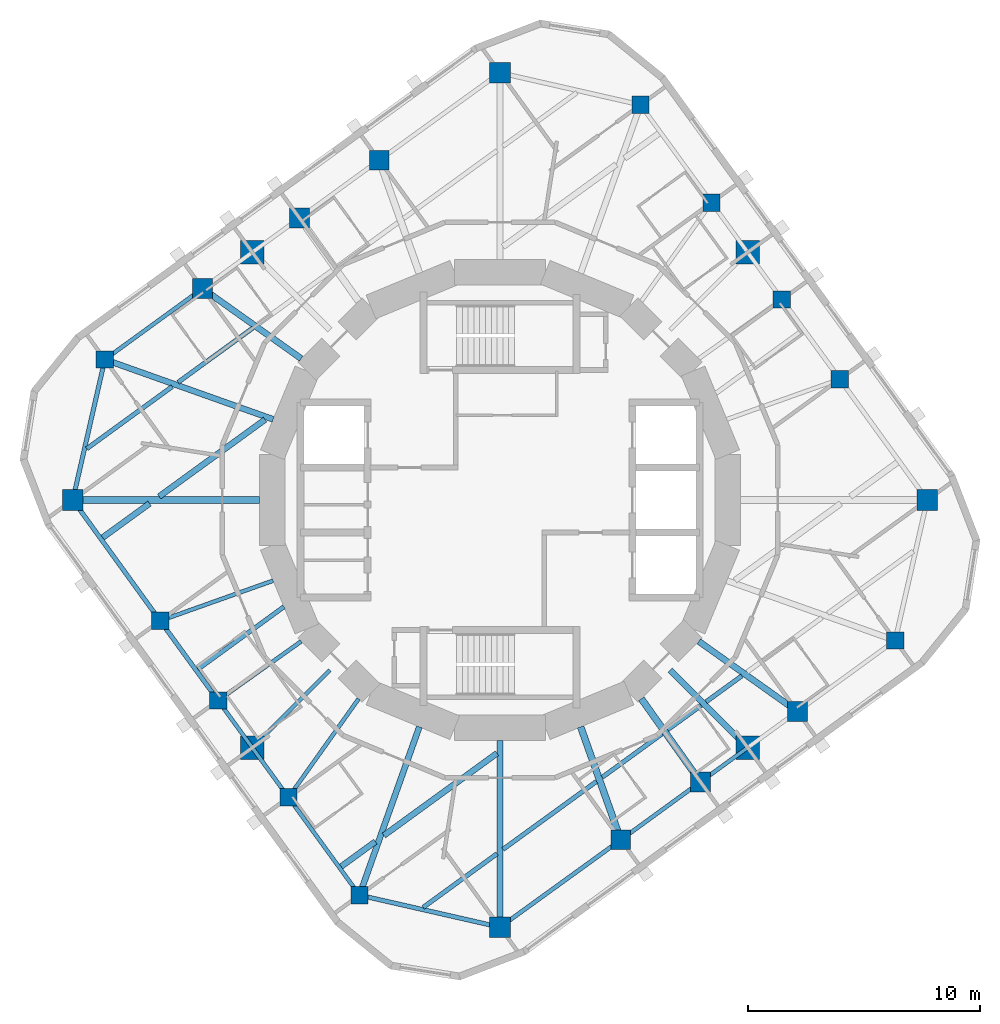
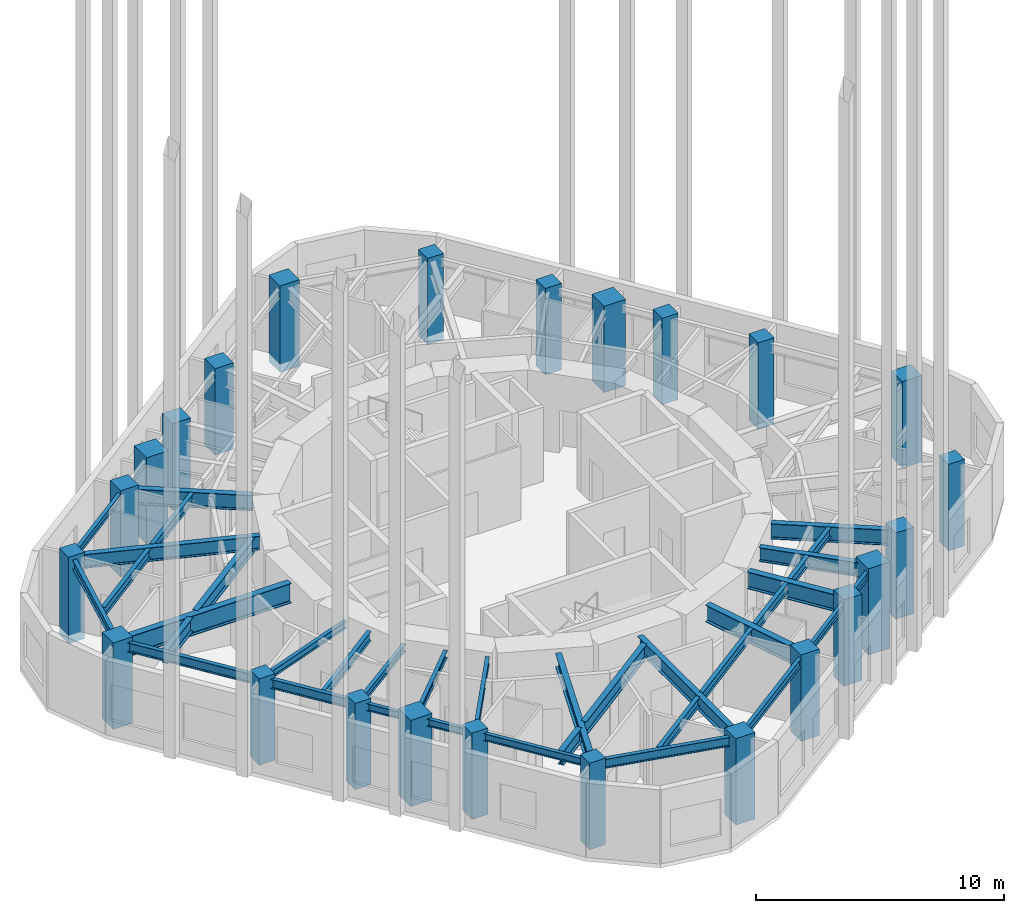
# One storey, part 1 of 9: 36 beams, 24 columns.
"""IFC4 building model written with IfcOpenShell, lengths in metres."""

from ifc_helpers import new_model, si_unit, direction, frame, origin, origin_2d, place, context, subcontext, project, spatial, rectangle, i_section, extrude, material, material_profile, profile_set, type_object, element, save


model = new_model("IFC4")

# Units and contexts
model_context = context("Model", 3, precision=1e-05, world=origin(), true_north=direction((0.0, 1.0)))
body_context = subcontext(model_context, "Body", "Model", "MODEL_VIEW")
ifc_project = project(units=[si_unit("LENGTHUNIT", "METRE"), si_unit("AREAUNIT", "SQUARE_METRE"), si_unit("VOLUMEUNIT", "CUBIC_METRE"), si_unit("PLANEANGLEUNIT", "RADIAN"), si_unit("MASSUNIT", "GRAM", prefix="KILO")], contexts=[model_context])

# Site, building, storey
site_placement = place(None, origin())
site = spatial("IfcSite", under=ifc_project, at=site_placement, CompositionType="ELEMENT")
building_placement = place(site_placement, origin())
building = spatial("IfcBuilding", under=site, at=building_placement, Name="Nakasero Lantern House", CompositionType="ELEMENT")
storey_placement = place(building_placement, frame((0.0, 0.0, 263.75)))
storey = spatial("IfcBuildingStorey", under=building, at=storey_placement, Name="L64", CompositionType="ELEMENT", Elevation=263.75)

# Columns
ifc_material_1 = material(Name="Concrete C40/50", Category="concrete")
ifc_material_profile_1 = material_profile(ifc_material_1, rectangle(XDim=1.0, YDim=1.0, at=origin_2d()), Name="RC 1000x1000")
ifc_profile_set_1 = profile_set([ifc_material_profile_1], Name="Concrete C40/50")
column_type_1 = type_object("IfcColumnType", Name="Mega column RC 1000x1000 C40/50", PredefinedType="COLUMN", material=ifc_profile_set_1)
for number, where, z_axis, x_axis, name in (
    (1, (10.667236328125, 10.667236328125, -0.409423828125), (0.0, 0.0, 1.0), (1.0, 0.0, 0.0), "Column B7-C06 L64"),
    (2, (-10.667236328125, 10.667236328125, -0.409423828125), (0.0, 0.0, 1.0), (1.0, 0.0, 0.0), "Column B7-C12 L64"),
    (3, (-10.667236328125, -10.667236328125, -0.409423828125), (0.0, 0.0, 1.0), (1.0, 0.0, 0.0), "Column B7-C18 L64"),
    (4, (10.667236328125, -10.667236328125, -0.409423828125), (0.0, 0.0, 1.0), (1.0, 0.0, 0.0), "Column B7-C24 L64"),
):
    element("IfcColumn", number, at=place(storey_placement, frame(where, z_axis=z_axis, x_axis=x_axis)), inside=storey, type_object=column_type_1, Name=name, PredefinedType="COLUMN", context=body_context, shape_type="SweptSolid", body=[
        extrude(rectangle(XDim=1.0, YDim=1.0, at=origin_2d()), origin(), (0.0, 0.0, 1.0), 4.259521484375),
    ])
ifc_material_2 = material(Name="Concrete C40/50", Category="concrete")
ifc_material_profile_2 = material_profile(ifc_material_2, rectangle(XDim=0.75, YDim=0.75, at=origin_2d()), Name="RC 750x750")
ifc_profile_set_2 = profile_set([ifc_material_profile_2], Name="Concrete C40/50")
column_type_2 = type_object("IfcColumnType", Name="Ring column RC 750x750 C40/50", PredefinedType="COLUMN", material=ifc_profile_set_2)
for number, where, z_axis, x_axis, name in (
    (5, (17.02001953125, -6.051513671875, -0.409423828125), (0.0, 0.0, 1.0), (1.0, 0.0, 0.0), "Column B7-C02 L64"),
    (6, (14.636474609375, 5.2041015625, -0.409423828125), (0.0, 0.0, 1.0), (1.0, 0.0, 0.0), "Column B7-C04 L64"),
    (7, (12.1435546875, 8.63525390625, -0.409423828125), (0.0, 0.0, 1.0), (1.0, 0.0, 0.0), "Column B7-C05 L64"),
    (8, (9.10986328125, 12.810791015625, -0.409423828125), (0.0, 0.0, 1.0), (1.0, 0.0, 0.0), "Column B7-C07 L64"),
    (9, (6.051513671875, 17.02001953125, -0.409423828125), (0.0, 0.0, 1.0), (1.0, 0.0, 0.0), "Column B7-C08 L64"),
    (10, (-17.02001953125, 6.051513671875, -0.409423828125), (0.0, 0.0, 1.0), (1.0, 0.0, 0.0), "Column B7-C14 L64"),
    (11, (-14.636474609375, -5.2041015625, -0.409423828125), (0.0, 0.0, 1.0), (1.0, 0.0, 0.0), "Column B7-C16 L64"),
    (12, (-12.1435546875, -8.63525390625, -0.409423828125), (0.0, 0.0, 1.0), (1.0, 0.0, 0.0), "Column B7-C17 L64"),
    (13, (-9.10986328125, -12.810791015625, -0.409423828125), (0.0, 0.0, 1.0), (1.0, 0.0, 0.0), "Column B7-C19 L64"),
    (14, (-6.051513671875, -17.02001953125, -0.409423828125), (0.0, 0.0, 1.0), (1.0, 0.0, 0.0), "Column B7-C20 L64"),
):
    element("IfcColumn", number, at=place(storey_placement, frame(where, z_axis=z_axis, x_axis=x_axis)), inside=storey, type_object=column_type_2, Name=name, PredefinedType="COLUMN", context=body_context, shape_type="SweptSolid", body=[
        extrude(rectangle(XDim=0.75, YDim=0.75, at=origin_2d()), origin(), (0.0, 0.0, 1.0), 4.259521484375),
    ])
ifc_material_3 = material(Name="Concrete C40/50", Category="concrete")
ifc_material_profile_3 = material_profile(ifc_material_3, rectangle(XDim=0.85009765625, YDim=0.85009765625, at=origin_2d()), Name="RC 850x850")
ifc_profile_set_3 = profile_set([ifc_material_profile_3], Name="Concrete C40/50")
column_type_3 = type_object("IfcColumnType", Name="Ring column RC 850x850 C40/50", PredefinedType="COLUMN", material=ifc_profile_set_3)
for number, where, z_axis, x_axis, name in (
    (15, (12.810791015625, -9.10986328125, -0.409423828125), (0.0, 0.0, 1.0), (1.0, 0.0, 0.0), "Column B7-C01 L64"),
    (16, (-5.2041015625, 14.636474609375, -0.409423828125), (0.0, 0.0, 1.0), (1.0, 0.0, 0.0), "Column B7-C10 L64"),
    (17, (-8.63525390625, 12.1435546875, -0.409423828125), (0.0, 0.0, 1.0), (1.0, 0.0, 0.0), "Column B7-C11 L64"),
    (18, (-12.810791015625, 9.10986328125, -0.409423828125), (0.0, 0.0, 1.0), (1.0, 0.0, 0.0), "Column B7-C13 L64"),
    (19, (5.2041015625, -14.636474609375, -0.409423828125), (0.0, 0.0, 1.0), (1.0, 0.0, 0.0), "Column B7-C22 L64"),
    (20, (8.63525390625, -12.1435546875, -0.409423828125), (0.0, 0.0, 1.0), (1.0, 0.0, 0.0), "Column B7-C23 L64"),
):
    element("IfcColumn", number, at=place(storey_placement, frame(where, z_axis=z_axis, x_axis=x_axis)), inside=storey, type_object=column_type_3, Name=name, PredefinedType="COLUMN", context=body_context, shape_type="SweptSolid", body=[
        extrude(rectangle(XDim=0.85009765625, YDim=0.85009765625, at=origin_2d()), origin(), (0.0, 0.0, 1.0), 4.259521484375),
    ])
ifc_material_4 = material(Name="Concrete C40/50", Category="concrete")
ifc_material_profile_4 = material_profile(ifc_material_4, rectangle(XDim=0.89990234375, YDim=0.89990234375, at=origin_2d()), Name="RC 900x900")
ifc_profile_set_4 = profile_set([ifc_material_profile_4], Name="Concrete C40/50")
column_type_4 = type_object("IfcColumnType", Name="Ring column RC 900x900 C40/50", PredefinedType="COLUMN", material=ifc_profile_set_4)
for number, where, z_axis, x_axis, name in (
    (21, (18.39990234375, 0.0, -0.409423828125), (0.0, 0.0, 1.0), (1.0, 0.0, 0.0), "Column B7-C03 L64"),
    (22, (0.0, 18.39990234375, -0.409423828125), (0.0, 0.0, 1.0), (1.0, 0.0, 0.0), "Column B7-C09 L64"),
    (23, (-18.39990234375, 0.0, -0.409423828125), (0.0, 0.0, 1.0), (1.0, 0.0, 0.0), "Column B7-C15 L64"),
    (24, (0.0, -18.39990234375, -0.409423828125), (0.0, 0.0, 1.0), (1.0, 0.0, 0.0), "Column B7-C21 L64"),
):
    element("IfcColumn", number, at=place(storey_placement, frame(where, z_axis=z_axis, x_axis=x_axis)), inside=storey, type_object=column_type_4, Name=name, PredefinedType="COLUMN", context=body_context, shape_type="SweptSolid", body=[
        extrude(rectangle(XDim=0.89990234375, YDim=0.89990234375, at=origin_2d()), origin(), (0.0, 0.0, 1.0), 4.259521484375),
    ])

# Beams
ifc_material_5 = material(Name="Steel S355", Category="steel")
ifc_material_profile_5 = material_profile(ifc_material_5, i_section(OverallWidth=0.19140625, OverallDepth=0.4599609375, WebThickness=0.010009765625, FlangeThickness=0.01611328125, FilletRadius=0.01025390625, at=origin_2d()), Name="UB 457x191x82")
ifc_profile_set_5 = profile_set([ifc_material_profile_5], Name="Steel S355")
beam_type_1 = type_object("IfcBeamType", Name="Infill beam UB 457x191x82", PredefinedType="JOIST", material=ifc_profile_set_5)
beam_1_placement = place(storey_placement, frame((-3.311279296875, -17.547607421875, 3.419921875), z_axis=(0.809028442836, 0.587769494515, 0.0), x_axis=(-0.587769494515, 0.809028442836, 0.0)))
element("IfcBeam", 25, at=beam_1_placement, inside=storey, type_object=beam_type_1, Name="Infill beam L65 03.1", PredefinedType="JOIST", context=body_context, shape_type="SweptSolid", body=[
    extrude(i_section(OverallWidth=0.19140625, OverallDepth=0.4599609375, WebThickness=0.010009765625, FlangeThickness=0.01611328125, FilletRadius=0.01025390625, at=origin_2d()), origin(), (0.0, 0.0, 1.0), 3.934814453125),
])
beam_2_placement = place(storey_placement, frame((0.1279296875, -15.048828125, 3.419921875), z_axis=(0.809018056479, 0.587783790428, 0.0), x_axis=(-0.587783790428, 0.809018056479, 0.0)))
element("IfcBeam", 26, at=beam_2_placement, inside=storey, type_object=beam_type_1, Name="Infill beam L65 03.2", PredefinedType="JOIST", context=body_context, shape_type="SweptSolid", body=[
    extrude(i_section(OverallWidth=0.19140625, OverallDepth=0.4599609375, WebThickness=0.010009765625, FlangeThickness=0.01611328125, FilletRadius=0.01025390625, at=origin_2d()), origin(), (0.0, 0.0, 1.0), 4.97802734375),
])
beam_3_placement = place(storey_placement, frame((4.40185546875, -11.943603515625, 3.419921875), z_axis=(0.809014147131, 0.587789171167, 0.0), x_axis=(-0.587789171167, 0.809014147131, 0.0)))
element("IfcBeam", 27, at=beam_3_placement, inside=storey, type_object=beam_type_1, Name="Infill beam L65 03.3", PredefinedType="JOIST", context=body_context, shape_type="SweptSolid", body=[
    extrude(i_section(OverallWidth=0.19140625, OverallDepth=0.4599609375, WebThickness=0.010009765625, FlangeThickness=0.01611328125, FilletRadius=0.01025390625, at=origin_2d()), origin(), (0.0, 0.0, 1.0), 3.188232421875),
])
beam_4_placement = place(storey_placement, frame((7.2177734375, -9.897705078125, 3.419921875), z_axis=(0.809060510352, 0.587725353025, 0.0), x_axis=(-0.587725353025, 0.809060510352, 0.0)))
element("IfcBeam", 28, at=beam_4_placement, inside=storey, type_object=beam_type_1, Name="Infill beam L65 03.4", PredefinedType="JOIST", context=body_context, shape_type="SweptSolid", body=[
    extrude(i_section(OverallWidth=0.19140625, OverallDepth=0.4599609375, WebThickness=0.010009765625, FlangeThickness=0.01611328125, FilletRadius=0.01025390625, at=origin_2d()), origin(), (0.0, 0.0, 1.0), 1.7890625),
])
beam_5_placement = place(storey_placement, frame((8.874755859375, -8.69384765625, 3.419921875), z_axis=(0.809012638294, 0.587791247877, 0.0), x_axis=(-0.587791247877, 0.809012638294, 0.0)))
element("IfcBeam", 29, at=beam_5_placement, inside=storey, type_object=beam_type_1, Name="Infill beam L65 03.5", PredefinedType="JOIST", context=body_context, shape_type="SweptSolid", body=[
    extrude(i_section(OverallWidth=0.19140625, OverallDepth=0.4599609375, WebThickness=0.010009765625, FlangeThickness=0.01611328125, FilletRadius=0.01025390625, at=origin_2d()), origin(), (0.0, 0.0, 1.0), 1.908203125),
])
beam_6_placement = place(storey_placement, frame((-13.006103515625, -7.286376953125, 3.419921875), z_axis=(0.809017640959, 0.587784362344, 0.0), x_axis=(-0.587784362344, 0.809017640959, 0.0)))
element("IfcBeam", 30, at=beam_6_placement, inside=storey, type_object=beam_type_1, Name="Infill beam L65 07.1", PredefinedType="JOIST", context=body_context, shape_type="SweptSolid", body=[
    extrude(i_section(OverallWidth=0.19140625, OverallDepth=0.4599609375, WebThickness=0.010009765625, FlangeThickness=0.01611328125, FilletRadius=0.01025390625, at=origin_2d()), origin(), (0.0, 0.0, 1.0), 4.572998046875),
])
beam_7_placement = place(storey_placement, frame((-17.798583984375, 2.21044921875, 3.419921875), z_axis=(0.80901210161, 0.587791986546, 0.0), x_axis=(-0.587791986546, 0.80901210161, 0.0)))
element("IfcBeam", 31, at=beam_7_placement, inside=storey, type_object=beam_type_1, Name="Infill beam L65 10.1", PredefinedType="JOIST", context=body_context, shape_type="SweptSolid", body=[
    extrude(i_section(OverallWidth=0.19140625, OverallDepth=0.4599609375, WebThickness=0.010009765625, FlangeThickness=0.01611328125, FilletRadius=0.01025390625, at=origin_2d()), origin(), (0.0, 0.0, 1.0), 4.55029296875),
])
beam_8_placement = place(storey_placement, frame((-13.86865234375, 5.065673828125, 3.419921875), z_axis=(0.809006350712, 0.587799901759, 0.0), x_axis=(-0.587799901759, 0.809006350712, 0.0)))
element("IfcBeam", 32, at=beam_8_placement, inside=storey, type_object=beam_type_1, Name="Infill beam L65 10.2", PredefinedType="JOIST", context=body_context, shape_type="SweptSolid", body=[
    extrude(i_section(OverallWidth=0.19140625, OverallDepth=0.4599609375, WebThickness=0.010009765625, FlangeThickness=0.01611328125, FilletRadius=0.01025390625, at=origin_2d()), origin(), (0.0, 0.0, 1.0), 3.983154296875),
])
ifc_material_6 = material(Name="Steel S355", Category="steel")
ifc_material_profile_6 = material_profile(ifc_material_6, i_section(OverallWidth=0.255859375, OverallDepth=0.69287109375, WebThickness=0.014404296875, FlangeThickness=0.023681640625, FilletRadius=0.01513671875, at=origin_2d()), Name="UB 686x254x170")
ifc_profile_set_6 = profile_set([ifc_material_profile_6], Name="Steel S355")
beam_type_2 = type_object("IfcBeamType", Name="Infill beam UB 686x254x170", PredefinedType="JOIST", material=ifc_profile_set_6)
beam_9_placement = place(storey_placement, frame((-6.841796875, -15.786376953125, 3.303466796875), z_axis=(0.809025740158, 0.587773214566, 0.0), x_axis=(-0.587773214566, 0.809025740158, 0.0)))
element("IfcBeam", 33, at=beam_9_placement, inside=storey, type_object=beam_type_2, Name="Infill beam L65 04.1", PredefinedType="JOIST", context=body_context, shape_type="SweptSolid", body=[
    extrude(i_section(OverallWidth=0.255859375, OverallDepth=0.69287109375, WebThickness=0.014404296875, FlangeThickness=0.023681640625, FilletRadius=0.01513671875, at=origin_2d()), origin(), (0.0, 0.0, 1.0), 1.82177734375),
])
beam_10_placement = place(storey_placement, frame((-5.001953125, -14.44970703125, 3.303466796875), z_axis=(0.809011117524, 0.587793340998, 0.0), x_axis=(-0.587793340998, 0.809011117524, 0.0)))
element("IfcBeam", 34, at=beam_10_placement, inside=storey, type_object=beam_type_2, Name="Infill beam L65 04.2", PredefinedType="JOIST", context=body_context, shape_type="SweptSolid", body=[
    extrude(i_section(OverallWidth=0.255859375, OverallDepth=0.69287109375, WebThickness=0.014404296875, FlangeThickness=0.023681640625, FilletRadius=0.01513671875, at=origin_2d()), origin(), (0.0, 0.0, 1.0), 6.024658203125),
])
beam_11_placement = place(storey_placement, frame((-17.1123046875, -1.6171875, 3.303466796875), z_axis=(0.809015124384, 0.587787826106, 0.0), x_axis=(-0.587787826106, 0.809015124384, 0.0)))
element("IfcBeam", 35, at=beam_11_placement, inside=storey, type_object=beam_type_2, Name="Infill beam L65 09.1", PredefinedType="JOIST", context=body_context, shape_type="SweptSolid", body=[
    extrude(i_section(OverallWidth=0.255859375, OverallDepth=0.69287109375, WebThickness=0.014404296875, FlangeThickness=0.023681640625, FilletRadius=0.01513671875, at=origin_2d()), origin(), (0.0, 0.0, 1.0), 2.496337890625),
])
beam_12_placement = place(storey_placement, frame((-14.679931640625, 0.14990234375, 3.303466796875), z_axis=(0.809013172462, 0.587790512669, 0.0), x_axis=(-0.587790512669, 0.809013172462, 0.0)))
element("IfcBeam", 36, at=beam_12_placement, inside=storey, type_object=beam_type_2, Name="Infill beam L65 09.2", PredefinedType="JOIST", context=body_context, shape_type="SweptSolid", body=[
    extrude(i_section(OverallWidth=0.255859375, OverallDepth=0.69287109375, WebThickness=0.014404296875, FlangeThickness=0.023681640625, FilletRadius=0.01513671875, at=origin_2d()), origin(), (0.0, 0.0, 1.0), 5.63720703125),
])
ifc_material_7 = material(Name="Steel S355", Category="steel")
ifc_material_profile_7 = material_profile(ifc_material_7, i_section(OverallWidth=0.300048828125, OverallDepth=0.97998046875, WebThickness=0.0166015625, FlangeThickness=0.02587890625, FilletRadius=0.030029296875, at=origin_2d()), Name="UB 1016x305x249")
ifc_profile_set_7 = profile_set([ifc_material_profile_7], Name="Steel S355")
beam_type_3 = type_object("IfcBeamType", Name="Primary beam UB 1016x305x249, span 6 to 9 m", PredefinedType="BEAM", material=ifc_profile_set_7)
beam_13_placement = place(storey_placement, frame((-18.39990234375, 0.0, 3.159912109375), z_axis=(1.0, 0.0, 0.0), x_axis=(0.0, 1.0, 0.0)))
element("IfcBeam", 37, at=beam_13_placement, inside=storey, type_object=beam_type_3, Name="Primary beam L65 B7-C15", PredefinedType="BEAM", context=body_context, shape_type="SweptSolid", body=[
    extrude(i_section(OverallWidth=0.300048828125, OverallDepth=0.97998046875, WebThickness=0.0166015625, FlangeThickness=0.02587890625, FilletRadius=0.030029296875, at=origin_2d()), origin(), (0.0, 0.0, 1.0), 8.0419921875),
])
ifc_material_8 = material(Name="Steel S355", Category="steel")
ifc_material_profile_8 = material_profile(ifc_material_8, i_section(OverallWidth=0.17138671875, OverallDepth=0.35498046875, WebThickness=0.00732421875, FlangeThickness=0.011474609375, FilletRadius=0.01025390625, at=origin_2d()), Name="UB 356x171x51")
ifc_profile_set_8 = profile_set([ifc_material_profile_8], Name="Steel S355")
beam_type_4 = type_object("IfcBeamType", Name="Primary beam UB 356x171x51, span to 6 m", PredefinedType="BEAM", material=ifc_profile_set_8)
beam_14_placement = place(storey_placement, frame((-14.636474609375, -5.2041015625, 3.472412109375), z_axis=(0.942221324153, 0.3349910093, 0.0), x_axis=(-0.3349910093, 0.942221324153, 0.0)))
element("IfcBeam", 38, at=beam_14_placement, inside=storey, type_object=beam_type_4, Name="Primary beam L65 B7-C16", PredefinedType="BEAM", context=body_context, shape_type="SweptSolid", body=[
    extrude(i_section(OverallWidth=0.17138671875, OverallDepth=0.35498046875, WebThickness=0.00732421875, FlangeThickness=0.011474609375, FilletRadius=0.01025390625, at=origin_2d()), origin(), (0.0, 0.0, 1.0), 5.162841796875),
])
beam_15_placement = place(storey_placement, frame((-12.1435546875, -8.63525390625, 3.472412109375), z_axis=(0.814988544116, 0.579477068537, 0.0), x_axis=(-0.579477068537, 0.814988544116, 0.0)))
element("IfcBeam", 39, at=beam_15_placement, inside=storey, type_object=beam_type_4, Name="Primary beam L65 B7-C17", PredefinedType="BEAM", context=body_context, shape_type="SweptSolid", body=[
    extrude(i_section(OverallWidth=0.17138671875, OverallDepth=0.35498046875, WebThickness=0.00732421875, FlangeThickness=0.011474609375, FilletRadius=0.01025390625, at=origin_2d()), origin(), (0.0, 0.0, 1.0), 4.396484375),
])
beam_16_placement = place(storey_placement, frame((-10.667236328125, -10.667236328125, 3.472412109375), z_axis=(0.707106781187, 0.707106781187, 0.0), x_axis=(-0.707106781187, 0.707106781187, 0.0)))
element("IfcBeam", 40, at=beam_16_placement, inside=storey, type_object=beam_type_4, Name="Primary beam L65 B7-C18", PredefinedType="BEAM", context=body_context, shape_type="SweptSolid", body=[
    extrude(i_section(OverallWidth=0.17138671875, OverallDepth=0.35498046875, WebThickness=0.00732421875, FlangeThickness=0.011474609375, FilletRadius=0.01025390625, at=origin_2d()), origin(), (0.0, 0.0, 1.0), 4.727783203125),
])
beam_17_placement = place(storey_placement, frame((-9.10986328125, -12.810791015625, 3.472412109375), z_axis=(0.579500985986, 0.814971537688, 0.0), x_axis=(-0.814971537688, 0.579500985986, 0.0)))
element("IfcBeam", 41, at=beam_17_placement, inside=storey, type_object=beam_type_4, Name="Primary beam L65 B7-C19", PredefinedType="BEAM", context=body_context, shape_type="SweptSolid", body=[
    extrude(i_section(OverallWidth=0.17138671875, OverallDepth=0.35498046875, WebThickness=0.00732421875, FlangeThickness=0.011474609375, FilletRadius=0.01025390625, at=origin_2d()), origin(), (0.0, 0.0, 1.0), 5.215087890625),
])
ifc_material_9 = material(Name="Steel S355", Category="steel")
ifc_material_profile_9 = material_profile(ifc_material_9, i_section(OverallWidth=0.253662109375, OverallDepth=0.68359375, WebThickness=0.012451171875, FlangeThickness=0.01904296875, FilletRadius=0.01513671875, at=origin_2d()), Name="UB 686x254x140")
ifc_profile_set_9 = profile_set([ifc_material_profile_9], Name="Steel S355")
beam_type_5 = type_object("IfcBeamType", Name="Primary beam UB 686x254x140, span 6 to 9 m", PredefinedType="BEAM", material=ifc_profile_set_9)
beam_18_placement = place(storey_placement, frame((-17.02001953125, 6.051513671875, 3.308349609375), z_axis=(0.942222036561, -0.334989005521, 0.0), x_axis=(0.334989005521, 0.942222036561, 0.0)))
element("IfcBeam", 42, at=beam_18_placement, inside=storey, type_object=beam_type_5, Name="Primary beam L65 B7-C14", PredefinedType="BEAM", context=body_context, shape_type="SweptSolid", body=[
    extrude(i_section(OverallWidth=0.253662109375, OverallDepth=0.68359375, WebThickness=0.012451171875, FlangeThickness=0.01904296875, FilletRadius=0.01513671875, at=origin_2d()), origin(), (0.0, 0.0, 1.0), 7.6923828125),
])
ifc_material_10 = material(Name="Steel S355", Category="steel")
ifc_material_profile_10 = material_profile(ifc_material_10, i_section(OverallWidth=0.255859375, OverallDepth=0.69287109375, WebThickness=0.014404296875, FlangeThickness=0.023681640625, FilletRadius=0.01513671875, at=origin_2d()), Name="UB 686x254x170")
ifc_profile_set_10 = profile_set([ifc_material_profile_10], Name="Steel S355")
beam_type_6 = type_object("IfcBeamType", Name="Primary beam UB 686x254x170, span 6 to 9 m", PredefinedType="BEAM", material=ifc_profile_set_10)
beam_19_placement = place(storey_placement, frame((-6.051513671875, -17.02001953125, 3.303466796875), z_axis=(0.334989005521, 0.942222036561, 0.0), x_axis=(-0.942222036561, 0.334989005521, 0.0)))
element("IfcBeam", 43, at=beam_19_placement, inside=storey, type_object=beam_type_6, Name="Primary beam L65 B7-C20", PredefinedType="BEAM", context=body_context, shape_type="SweptSolid", body=[
    extrude(i_section(OverallWidth=0.255859375, OverallDepth=0.69287109375, WebThickness=0.014404296875, FlangeThickness=0.023681640625, FilletRadius=0.01513671875, at=origin_2d()), origin(), (0.0, 0.0, 1.0), 7.6923828125),
])
beam_20_placement = place(storey_placement, frame((0.0, -18.39990234375, 3.303466796875), z_axis=(0.0, 1.0, 0.0), x_axis=(-1.0, 0.0, 0.0)))
element("IfcBeam", 44, at=beam_20_placement, inside=storey, type_object=beam_type_6, Name="Primary beam L65 B7-C21", PredefinedType="BEAM", context=body_context, shape_type="SweptSolid", body=[
    extrude(i_section(OverallWidth=0.255859375, OverallDepth=0.69287109375, WebThickness=0.014404296875, FlangeThickness=0.023681640625, FilletRadius=0.01513671875, at=origin_2d()), origin(), (0.0, 0.0, 1.0), 8.0419921875),
])
ifc_material_11 = material(Name="Steel S355", Category="steel")
ifc_material_profile_11 = material_profile(ifc_material_11, i_section(OverallWidth=0.255859375, OverallDepth=0.69287109375, WebThickness=0.014404296875, FlangeThickness=0.023681640625, FilletRadius=0.01513671875, at=origin_2d()), Name="UB 686x254x170")
ifc_profile_set_11 = profile_set([ifc_material_profile_11], Name="Steel S355")
beam_type_7 = type_object("IfcBeamType", Name="Primary beam UB 686x254x170, span to 6 m", PredefinedType="BEAM", material=ifc_profile_set_11)
beam_21_placement = place(storey_placement, frame((10.667236328125, -10.667236328125, 3.303466796875), z_axis=(-0.707106781187, 0.707106781187, 0.0), x_axis=(-0.707106781187, -0.707106781187, 0.0)))
element("IfcBeam", 45, at=beam_21_placement, inside=storey, type_object=beam_type_7, Name="Primary beam L65 B7-C24", PredefinedType="BEAM", context=body_context, shape_type="SweptSolid", body=[
    extrude(i_section(OverallWidth=0.255859375, OverallDepth=0.69287109375, WebThickness=0.014404296875, FlangeThickness=0.023681640625, FilletRadius=0.01513671875, at=origin_2d()), origin(), (0.0, 0.0, 1.0), 4.727783203125),
])
ifc_material_12 = material(Name="Steel S355", Category="steel")
ifc_material_profile_12 = material_profile(ifc_material_12, i_section(OverallWidth=0.2666015625, OverallDepth=0.76220703125, WebThickness=0.014404296875, FlangeThickness=0.021484375, FilletRadius=0.0166015625, at=origin_2d()), Name="UB 762x267x173")
ifc_profile_set_12 = profile_set([ifc_material_profile_12], Name="Steel S355")
beam_type_8 = type_object("IfcBeamType", Name="Primary beam UB 762x267x173, span to 6 m", PredefinedType="BEAM", material=ifc_profile_set_12)
for number, where, z_axis, x_axis, name in (
    (46, (12.810791015625, -9.10986328125, 3.268798828125), (-0.814971537688, 0.579500985986, 0.0), (-0.579500985986, -0.814971537688, 0.0), "Primary beam L65 B7-C01"),
    (47, (-12.810791015625, 9.10986328125, 3.268798828125), (0.814971537688, -0.579500985986, 0.0), (0.579500985986, 0.814971537688, 0.0), "Primary beam L65 B7-C13"),
):
    element("IfcBeam", number, at=place(storey_placement, frame(where, z_axis=z_axis, x_axis=x_axis)), inside=storey, type_object=beam_type_8, Name=name, PredefinedType="BEAM", context=body_context, shape_type="SweptSolid", body=[
        extrude(i_section(OverallWidth=0.2666015625, OverallDepth=0.76220703125, WebThickness=0.014404296875, FlangeThickness=0.021484375, FilletRadius=0.0166015625, at=origin_2d()), origin(), (0.0, 0.0, 1.0), 5.215087890625),
    ])
ifc_material_13 = material(Name="Steel S355", Category="steel")
ifc_material_profile_13 = material_profile(ifc_material_13, i_section(OverallWidth=0.29248046875, OverallDepth=0.8408203125, WebThickness=0.0146484375, FlangeThickness=0.02685546875, FilletRadius=0.017822265625, at=origin_2d()), Name="UB 838x292x194")
ifc_profile_set_13 = profile_set([ifc_material_profile_13], Name="Steel S355")
beam_type_9 = type_object("IfcBeamType", Name="Primary beam UB 838x292x194, span to 6 m", PredefinedType="BEAM", material=ifc_profile_set_13)
beam_22_placement = place(storey_placement, frame((5.2041015625, -14.636474609375, 3.229736328125), z_axis=(-0.3349910093, 0.942221324153, 0.0), x_axis=(-0.942221324153, -0.3349910093, 0.0)))
element("IfcBeam", 48, at=beam_22_placement, inside=storey, type_object=beam_type_9, Name="Primary beam L65 B7-C22", PredefinedType="BEAM", context=body_context, shape_type="SweptSolid", body=[
    extrude(i_section(OverallWidth=0.29248046875, OverallDepth=0.8408203125, WebThickness=0.0146484375, FlangeThickness=0.02685546875, FilletRadius=0.017822265625, at=origin_2d()), origin(), (0.0, 0.0, 1.0), 5.162841796875),
])
beam_23_placement = place(storey_placement, frame((8.63525390625, -12.1435546875, 3.229736328125), z_axis=(-0.579477068537, 0.814988544116, 0.0), x_axis=(-0.814988544116, -0.579477068537, 0.0)))
element("IfcBeam", 49, at=beam_23_placement, inside=storey, type_object=beam_type_9, Name="Primary beam L65 B7-C23", PredefinedType="BEAM", context=body_context, shape_type="SweptSolid", body=[
    extrude(i_section(OverallWidth=0.29248046875, OverallDepth=0.8408203125, WebThickness=0.0146484375, FlangeThickness=0.02685546875, FilletRadius=0.017822265625, at=origin_2d()), origin(), (0.0, 0.0, 1.0), 4.396484375),
])
ifc_material_14 = material(Name="Steel S355", Category="steel")
ifc_material_profile_14 = material_profile(ifc_material_14, i_section(OverallWidth=0.17138671875, OverallDepth=0.35498046875, WebThickness=0.00732421875, FlangeThickness=0.011474609375, FilletRadius=0.01025390625, at=origin_2d()), Name="UB 356x171x51")
ifc_profile_set_14 = profile_set([ifc_material_profile_14], Name="Steel S355")
beam_type_10 = type_object("IfcBeamType", Name="Ring beam UB 356x171x51", PredefinedType="BEAM", material=ifc_profile_set_14)
beam_24_placement = place(storey_placement, frame((-12.810791015625, 9.10986328125, 3.472412109375), z_axis=(-0.809001814948, -0.587806144414, 0.0), x_axis=(0.587806144414, -0.809001814948, 0.0)))
element("IfcBeam", 50, at=beam_24_placement, inside=storey, type_object=beam_type_10, Name="Ring beam L65 B7-C13", PredefinedType="BEAM", context=body_context, shape_type="SweptSolid", body=[
    extrude(i_section(OverallWidth=0.17138671875, OverallDepth=0.35498046875, WebThickness=0.00732421875, FlangeThickness=0.011474609375, FilletRadius=0.01025390625, at=origin_2d()), origin(), (0.0, 0.0, 1.0), 5.202880859375),
])
beam_25_placement = place(storey_placement, frame((-12.1435546875, -8.63525390625, 3.472412109375), z_axis=(0.58778439593, -0.809017616558, 0.0), x_axis=(0.809017616558, 0.58778439593, 0.0)))
element("IfcBeam", 51, at=beam_25_placement, inside=storey, type_object=beam_type_10, Name="Ring beam L65 B7-C17", PredefinedType="BEAM", context=body_context, shape_type="SweptSolid", body=[
    extrude(i_section(OverallWidth=0.17138671875, OverallDepth=0.35498046875, WebThickness=0.00732421875, FlangeThickness=0.011474609375, FilletRadius=0.01025390625, at=origin_2d()), origin(), (0.0, 0.0, 1.0), 2.51171875),
])
beam_26_placement = place(storey_placement, frame((-10.667236328125, -10.667236328125, 3.472412109375), z_axis=(0.587782635143, -0.809018895839, 0.0), x_axis=(0.809018895839, 0.587782635143, 0.0)))
element("IfcBeam", 52, at=beam_26_placement, inside=storey, type_object=beam_type_10, Name="Ring beam L65 B7-C18", PredefinedType="BEAM", context=body_context, shape_type="SweptSolid", body=[
    extrude(i_section(OverallWidth=0.17138671875, OverallDepth=0.35498046875, WebThickness=0.00732421875, FlangeThickness=0.011474609375, FilletRadius=0.01025390625, at=origin_2d()), origin(), (0.0, 0.0, 1.0), 2.649658203125),
])
beam_27_placement = place(storey_placement, frame((-9.10986328125, -12.810791015625, 3.472412109375), z_axis=(0.587806144414, -0.809001814948, 0.0), x_axis=(0.809001814948, 0.587806144414, 0.0)))
element("IfcBeam", 53, at=beam_27_placement, inside=storey, type_object=beam_type_10, Name="Ring beam L65 B7-C19", PredefinedType="BEAM", context=body_context, shape_type="SweptSolid", body=[
    extrude(i_section(OverallWidth=0.17138671875, OverallDepth=0.35498046875, WebThickness=0.00732421875, FlangeThickness=0.011474609375, FilletRadius=0.01025390625, at=origin_2d()), origin(), (0.0, 0.0, 1.0), 5.202880859375),
])
beam_28_placement = place(storey_placement, frame((5.2041015625, -14.636474609375, 3.472412109375), z_axis=(0.809012304944, 0.587791706687, 0.0), x_axis=(-0.587791706687, 0.809012304944, 0.0)))
element("IfcBeam", 54, at=beam_28_placement, inside=storey, type_object=beam_type_10, Name="Ring beam L65 B7-C22", PredefinedType="BEAM", context=body_context, shape_type="SweptSolid", body=[
    extrude(i_section(OverallWidth=0.17138671875, OverallDepth=0.35498046875, WebThickness=0.00732421875, FlangeThickness=0.011474609375, FilletRadius=0.01025390625, at=origin_2d()), origin(), (0.0, 0.0, 1.0), 4.2412109375),
])
beam_29_placement = place(storey_placement, frame((8.63525390625, -12.1435546875, 3.472412109375), z_axis=(0.809017616558, 0.58778439593, 0.0), x_axis=(-0.58778439593, 0.809017616558, 0.0)))
element("IfcBeam", 55, at=beam_29_placement, inside=storey, type_object=beam_type_10, Name="Ring beam L65 B7-C23", PredefinedType="BEAM", context=body_context, shape_type="SweptSolid", body=[
    extrude(i_section(OverallWidth=0.17138671875, OverallDepth=0.35498046875, WebThickness=0.00732421875, FlangeThickness=0.011474609375, FilletRadius=0.01025390625, at=origin_2d()), origin(), (0.0, 0.0, 1.0), 2.51171875),
])
ifc_material_15 = material(Name="Steel S355", Category="steel")
ifc_material_profile_15 = material_profile(ifc_material_15, i_section(OverallWidth=0.177978515625, OverallDepth=0.406494140625, WebThickness=0.0078125, FlangeThickness=0.0126953125, FilletRadius=0.01025390625, at=origin_2d()), Name="UB 406x178x60")
ifc_profile_set_15 = profile_set([ifc_material_profile_15], Name="Steel S355")
beam_type_11 = type_object("IfcBeamType", Name="Ring beam UB 406x178x60", PredefinedType="BEAM", material=ifc_profile_set_15)
beam_30_placement = place(storey_placement, frame((0.0, -18.39990234375, 3.44677734375), z_axis=(0.810316200404, 0.58599287996, 0.0), x_axis=(-0.58599287996, 0.810316200404, 0.0)))
element("IfcBeam", 56, at=beam_30_placement, inside=storey, type_object=beam_type_11, Name="Ring beam L65 B7-C21", PredefinedType="BEAM", context=body_context, shape_type="SweptSolid", body=[
    extrude(i_section(OverallWidth=0.177978515625, OverallDepth=0.406494140625, WebThickness=0.0078125, FlangeThickness=0.0126953125, FilletRadius=0.01025390625, at=origin_2d()), origin(), (0.0, 0.0, 1.0), 6.42236328125),
])
ifc_material_16 = material(Name="Steel S355", Category="steel")
ifc_material_profile_16 = material_profile(ifc_material_16, i_section(OverallWidth=0.18994140625, OverallDepth=0.453369140625, WebThickness=0.008544921875, FlangeThickness=0.0126953125, FilletRadius=0.01025390625, at=origin_2d()), Name="UB 457x191x67")
ifc_profile_set_16 = profile_set([ifc_material_profile_16], Name="Steel S355")
beam_type_12 = type_object("IfcBeamType", Name="Ring beam UB 457x191x67", PredefinedType="BEAM", material=ifc_profile_set_16)
beam_31_placement = place(storey_placement, frame((-17.02001953125, 6.051513671875, 3.42333984375), z_axis=(-0.222316387753, -0.974974575944, 0.0), x_axis=(0.974974575944, -0.222316387753, 0.0)))
element("IfcBeam", 57, at=beam_31_placement, inside=storey, type_object=beam_type_12, Name="Ring beam L65 B7-C14", PredefinedType="BEAM", context=body_context, shape_type="SweptSolid", body=[
    extrude(i_section(OverallWidth=0.18994140625, OverallDepth=0.453369140625, WebThickness=0.008544921875, FlangeThickness=0.0126953125, FilletRadius=0.01025390625, at=origin_2d()), origin(), (0.0, 0.0, 1.0), 6.206787109375),
])
beam_32_placement = place(storey_placement, frame((-14.636474609375, -5.2041015625, 3.42333984375), z_axis=(0.587791706687, -0.809012304944, 0.0), x_axis=(0.809012304944, 0.587791706687, 0.0)))
element("IfcBeam", 58, at=beam_32_placement, inside=storey, type_object=beam_type_12, Name="Ring beam L65 B7-C16", PredefinedType="BEAM", context=body_context, shape_type="SweptSolid", body=[
    extrude(i_section(OverallWidth=0.18994140625, OverallDepth=0.453369140625, WebThickness=0.008544921875, FlangeThickness=0.0126953125, FilletRadius=0.01025390625, at=origin_2d()), origin(), (0.0, 0.0, 1.0), 4.2412109375),
])
beam_33_placement = place(storey_placement, frame((-6.051513671875, -17.02001953125, 3.42333984375), z_axis=(0.974974575944, -0.222316387753, 0.0), x_axis=(0.222316387753, 0.974974575944, 0.0)))
element("IfcBeam", 59, at=beam_33_placement, inside=storey, type_object=beam_type_12, Name="Ring beam L65 B7-C20", PredefinedType="BEAM", context=body_context, shape_type="SweptSolid", body=[
    extrude(i_section(OverallWidth=0.18994140625, OverallDepth=0.453369140625, WebThickness=0.008544921875, FlangeThickness=0.0126953125, FilletRadius=0.01025390625, at=origin_2d()), origin(), (0.0, 0.0, 1.0), 6.206787109375),
])
ifc_material_17 = material(Name="Steel S355", Category="steel")
ifc_material_profile_17 = material_profile(ifc_material_17, i_section(OverallWidth=0.19140625, OverallDepth=0.4599609375, WebThickness=0.010009765625, FlangeThickness=0.01611328125, FilletRadius=0.01025390625, at=origin_2d()), Name="UB 457x191x82")
ifc_profile_set_17 = profile_set([ifc_material_profile_17], Name="Steel S355")
beam_type_13 = type_object("IfcBeamType", Name="Ring beam UB 457x191x82", PredefinedType="BEAM", material=ifc_profile_set_17)
beam_34_placement = place(storey_placement, frame((-18.39990234375, 0.0, 3.419921875), z_axis=(0.58599287996, -0.810316200404, 0.0), x_axis=(0.810316200404, 0.58599287996, 0.0)))
element("IfcBeam", 60, at=beam_34_placement, inside=storey, type_object=beam_type_13, Name="Ring beam L65 B7-C15", PredefinedType="BEAM", context=body_context, shape_type="SweptSolid", body=[
    extrude(i_section(OverallWidth=0.19140625, OverallDepth=0.4599609375, WebThickness=0.010009765625, FlangeThickness=0.01611328125, FilletRadius=0.01025390625, at=origin_2d()), origin(), (0.0, 0.0, 1.0), 6.42236328125),
])

save(model, "model.ifc")
